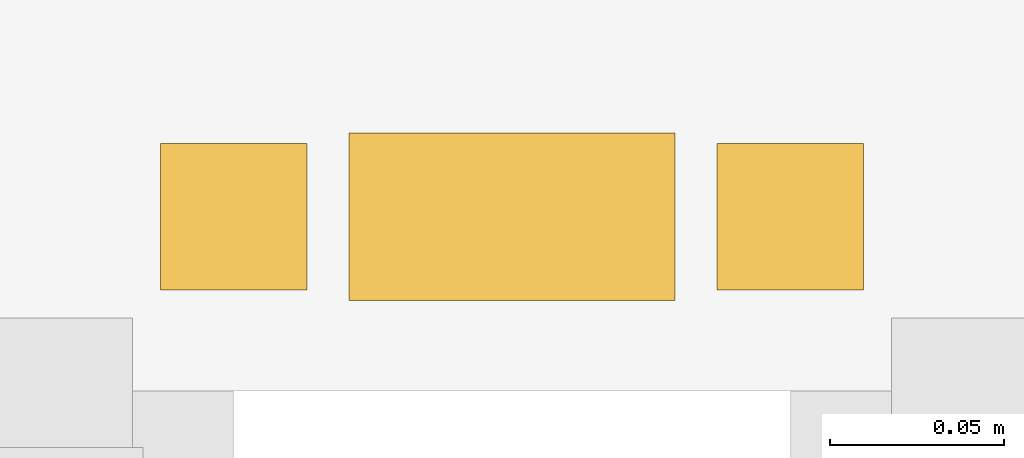
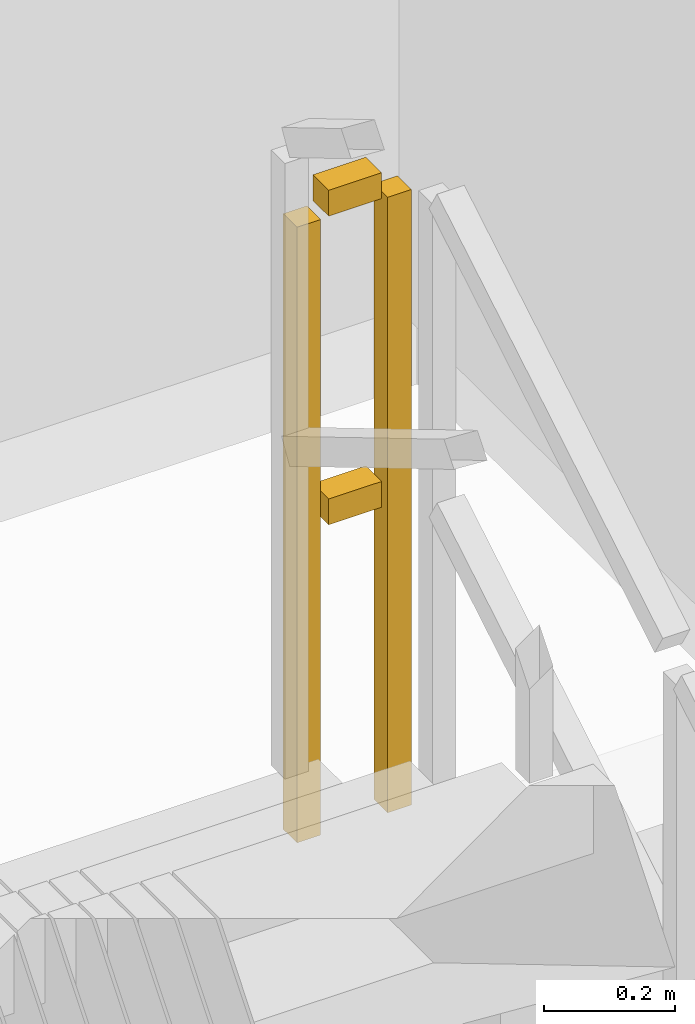
# One storey, part 13 of 13: 1 railing.
"""IFC4 building model written with IfcOpenShell, lengths in metres."""

from ifc_helpers import new_model, si_unit, direction, frame, origin, origin_2d, place, context, subcontext, project, spatial, rectangle, extrude, material, type_object, element, save


model = new_model("IFC4")

# Units and contexts
model_context = context("Model", 3, precision=1e-05, world=origin(), true_north=direction((0.0, 1.0)))
body_context = subcontext(model_context, "Body", "Model", "MODEL_VIEW")
ifc_project = project(units=[si_unit("LENGTHUNIT", "METRE"), si_unit("AREAUNIT", "SQUARE_METRE"), si_unit("VOLUMEUNIT", "CUBIC_METRE"), si_unit("PLANEANGLEUNIT", "RADIAN"), si_unit("MASSUNIT", "GRAM", prefix="KILO")], contexts=[model_context])

# Site, building, storey
site_placement = place(None, origin())
site = spatial("IfcSite", under=ifc_project, at=site_placement, CompositionType="ELEMENT")
building_placement = place(site_placement, origin())
building = spatial("IfcBuilding", under=site, at=building_placement, Name="Saelheon Loggia Tower", CompositionType="ELEMENT")
storey_placement = place(building_placement, frame((0.0, 0.0, 132.75)))
storey = spatial("IfcBuildingStorey", under=building, at=storey_placement, Name="L42", CompositionType="ELEMENT", Elevation=132.75)

# Railing
ifc_material = material(Name="Galvanised Steel S275 Stairwell Guardrail", Category="steel")
railing_type = type_object("IfcRailingType", Name="Guard_StairWell_RL_STG", PredefinedType="GUARDRAIL", material=ifc_material)
railing_placement = place(storey_placement, frame((42.489990234375, 32.739990234375, 1.5)))
element("IfcRailing", 1, at=railing_placement, inside=storey, type_object=railing_type, Name="L42 ST2 stair guard 2", PredefinedType="GUARDRAIL", context=body_context, shape_type="SweptSolid", body=[
    extrude(rectangle(XDim=0.048095703125, YDim=0.048095703125, at=origin_2d()), frame((-0.033203125, 0.0, 1.17578125), z_axis=(-1.0, 0.0, 0.0), x_axis=(0.0, -1.0, 0.0)), (0.0, 0.0, 1.0), 0.093505859375),
    extrude(rectangle(XDim=0.048095703125, YDim=0.048095703125, at=origin_2d()), frame((-0.033203125, 0.0, 0.60009765625), z_axis=(-1.0, 0.0, 0.0), x_axis=(0.0, -1.0, 0.0)), (0.0, 0.0, 1.0), 0.093505859375),
    extrude(rectangle(XDim=0.0419921875, YDim=0.0419921875, at=origin_2d()), origin(), (0.0, 0.0, 1.0), 1.14794921875),
    extrude(rectangle(XDim=0.0419921875, YDim=0.0419921875, at=origin_2d()), frame((-0.159912109375, 0.0, 0.0)), (0.0, 0.0, 1.0), 1.14794921875),
])

save(model, "model.ifc")
